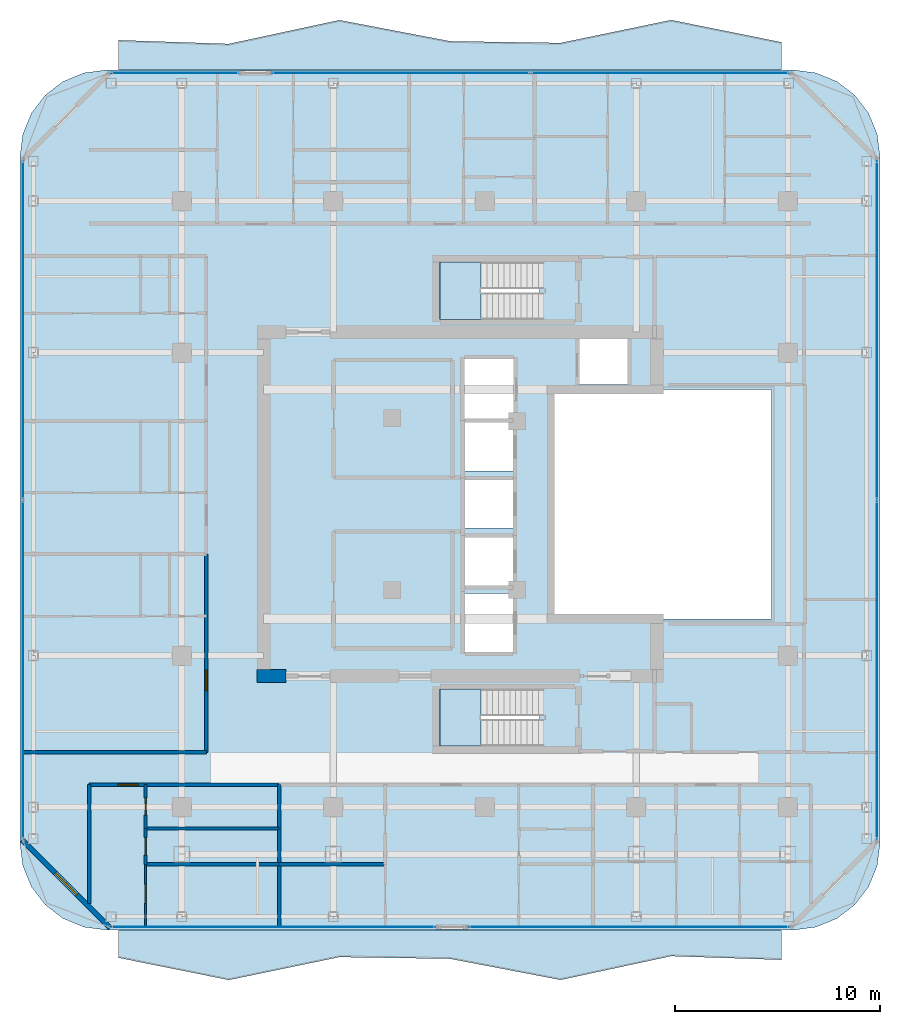
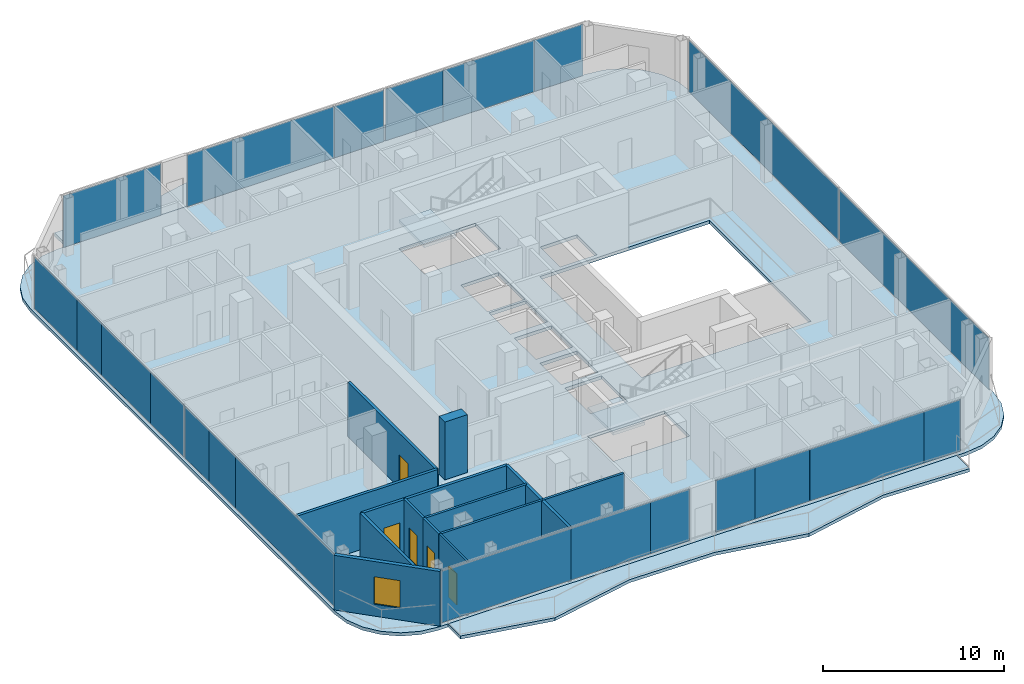
# One storey, part 15 of 23: 22 plates, 13 walls, 5 doors, 5 slabs, 1 window, 6 openings, 8 elements without a shape of their own.
"""IFC4 building model written with IfcOpenShell, lengths in metres."""

from ifc_helpers import new_model, si_unit, direction, frame, frame_2d, origin, origin_2d, place, context, subcontext, project, spatial, polyline, rectangle, outline, extrude, material, layer, layer_set, type_object, element, fill, aggregate, save


model = new_model("IFC4")

# Units and contexts
model_context = context("Model", 3, precision=1e-05, world=origin(), true_north=direction((0.0, 1.0)))
body_context = subcontext(model_context, "Body", "Model", "MODEL_VIEW")
ifc_project = project(units=[si_unit("LENGTHUNIT", "METRE"), si_unit("AREAUNIT", "SQUARE_METRE"), si_unit("VOLUMEUNIT", "CUBIC_METRE"), si_unit("PLANEANGLEUNIT", "RADIAN"), si_unit("MASSUNIT", "GRAM", prefix="KILO")], contexts=[model_context])

# Site, building, storey
site_placement = place(None, origin())
site = spatial("IfcSite", under=ifc_project, at=site_placement, CompositionType="ELEMENT")
building_placement = place(site_placement, origin())
building = spatial("IfcBuilding", under=site, at=building_placement, Name="Khorvyn Point Tower", CompositionType="ELEMENT")
storey_placement = place(building_placement, frame((0.0, 0.0, 297.60009765625)))
storey = spatial("IfcBuildingStorey", under=building, at=storey_placement, Name="L73", CompositionType="ELEMENT", Elevation=297.60009765625)

# Slabs
ifc_material_1 = material(Name="Concrete C35/45", Category="concrete")
ifc_layer_1 = layer(ifc_material_1, 0.219970703125)
ifc_layer_set_1 = layer_set([ifc_layer_1], Name="Concrete C35/45 Structural Floor Slab 220")
slab_type_1 = type_object("IfcSlabType", Name="Concrete C35/45 Structural Floor Slab 220", PredefinedType="FLOOR", material=ifc_layer_set_1)
slab_1_placement = place(storey_placement, frame((0.0, 0.0, -0.22021484375)))
element("IfcSlab", 1, at=slab_1_placement, inside=storey, type_object=slab_type_1, Name="L73 Main Structural Floor Slab", PredefinedType="FLOOR", context=body_context, shape_type="SweptSolid", body=[
    extrude(outline(polyline([(-18.5, -20.800048828125), (-19.5869140625, -20.656982421875), (-20.60009765625, -20.2373046875), (-21.4697265625, -19.56982421875), (-22.13720703125, -18.699951171875), (-22.556884765625, -17.68701171875), (-22.699951171875, -16.60009765625), (-22.699951171875, 17.0), (-22.556884765625, 18.0869140625), (-22.13720703125, 19.10009765625), (-21.4697265625, 19.9697265625), (-20.60009765625, 20.63720703125), (-19.5869140625, 21.056884765625), (-18.5, 21.199951171875), (15.10009765625, 21.199951171875), (16.18701171875, 21.056884765625), (17.199951171875, 20.63720703125), (18.06982421875, 19.9697265625), (18.7373046875, 19.10009765625), (19.156982421875, 18.0869140625), (19.300048828125, 17.0), (19.300048828125, -16.60009765625), (19.156982421875, -17.68701171875), (18.7373046875, -18.699951171875), (18.06982421875, -19.56982421875), (17.199951171875, -20.2373046875), (16.18701171875, -20.656982421875), (15.10009765625, -20.800048828125), (-18.5, -20.800048828125)]), holes=[polyline([(2.679931640625, -11.820068359375), (2.679931640625, -9.02001953125), (-2.199951171875, -9.02001953125), (-2.199951171875, -11.820068359375), (2.679931640625, -11.820068359375)]), polyline([(1.375, -7.22509765625), (1.375, -4.375), (-0.97509765625, -4.375), (-0.97509765625, -7.22509765625), (1.375, -7.22509765625)]), polyline([(1.375, -3.97509765625), (1.375, -1.625), (-0.97509765625, -1.625), (-0.97509765625, -3.97509765625), (1.375, -3.97509765625)]), polyline([(1.375, -1.175048828125), (1.375, 1.175048828125), (-0.97509765625, 1.175048828125), (-0.97509765625, -1.175048828125), (1.375, -1.175048828125)]), polyline([(14.0, -5.60009765625), (14.0, 5.60009765625), (3.199951171875, 5.60009765625), (3.199951171875, -5.60009765625), (14.0, -5.60009765625)]), polyline([(1.375, 1.625), (1.375, 3.97509765625), (-0.97509765625, 3.97509765625), (-0.97509765625, 1.625), (1.375, 1.625)]), polyline([(1.39990234375, 4.125), (1.39990234375, 7.074951171875), (-1.0, 7.074951171875), (-1.0, 4.125), (1.39990234375, 4.125)]), polyline([(4.625, 5.85009765625), (6.97509765625, 5.85009765625), (6.97509765625, 8.054931640625), (4.625, 8.054931640625), (4.625, 5.85009765625)]), polyline([(-2.199951171875, 9.02001953125), (2.679931640625, 9.02001953125), (2.679931640625, 11.820068359375), (-2.199951171875, 11.820068359375), (-2.199951171875, 9.02001953125)])]), origin(), (0.0, 0.0, 1.0), 0.22021484375),
])
ifc_material_2 = material(Name="Concrete C40/50", Category="concrete")
ifc_layer_2 = layer(ifc_material_2, 0.2099609375)
ifc_layer_set_2 = layer_set([ifc_layer_2], Name="Concrete C40/50 Rippling Balcony Slab 210")
slab_type_2 = type_object("IfcSlabType", Name="Concrete C40/50 Rippling Balcony Slab 210", PredefinedType="USERDEFINED", material=ifc_layer_set_2)
slab_2_placement = place(storey_placement, frame((0.0, 0.0, -0.210205078125)))
element("IfcSlab", 2, at=slab_2_placement, inside=storey, type_object=slab_type_2, Name="L73 North Sinusoidal Rippling Balcony", ObjectType="BALCONY", PredefinedType="USERDEFINED", context=body_context, shape_type="SweptSolid", body=[
    extrude(outline(polyline([(14.5, 21.199951171875), (14.5, 22.554931640625), (9.10009765625, 23.642333984375), (3.699951171875, 22.522705078125), (-1.699951171875, 22.60546875), (-7.10009765625, 23.638427734375), (-12.5, 22.47607421875), (-17.89990234375, 22.65771484375), (-17.89990234375, 21.199951171875), (14.5, 21.199951171875)])), origin(), (0.0, 0.0, 1.0), 0.210205078125),
])
slab_3_placement = place(storey_placement, frame((0.0, 0.0, -0.210205078125)))
element("IfcSlab", 3, at=slab_3_placement, inside=storey, type_object=slab_type_2, Name="L73 South Sinusoidal Rippling Balcony", ObjectType="BALCONY", PredefinedType="USERDEFINED", context=body_context, shape_type="SweptSolid", body=[
    extrude(outline(polyline([(-17.89990234375, -20.800048828125), (-17.89990234375, -22.155029296875), (-12.5, -23.2421875), (-7.10009765625, -22.12255859375), (-1.699951171875, -22.205322265625), (3.699951171875, -23.238525390625), (9.10009765625, -22.076171875), (14.5, -22.2578125), (14.5, -20.800048828125), (-17.89990234375, -20.800048828125)])), origin(), (0.0, 0.0, 1.0), 0.210205078125),
])

# Stair, slab
stair_type = type_object("IfcStairType", Name="Tower Concrete C40/50 Dogleg Exit Stair", PredefinedType="HALF_TURN_STAIR", material=ifc_material_2)
stair_1_placement = place(storey_placement, origin())
stair_1 = element("IfcStair", 4, at=stair_1_placement, inside=storey, type_object=stair_type, Name="L73 Tower Smokeproof Exit Stair South", PredefinedType="HALF_TURN_STAIR")
ifc_layer_3 = layer(ifc_material_2, 0.199951171875)
ifc_layer_set_3 = layer_set([ifc_layer_3], Name="Concrete C40/50 Stair Landing Slab 200")
slab_type_3 = type_object("IfcSlabType", Name="Concrete C40/50 Stair Landing Slab 200", PredefinedType="LANDING", material=ifc_layer_set_3)
slab_4_placement = place(storey_placement, frame((0.0, 0.0, 1.75)))
slab_4 = element("IfcSlab", 5, at=slab_4_placement, type_object=slab_type_3, Name="ST-01 landing 1", PredefinedType="LANDING", context=body_context, shape_type="SweptSolid", body=[
    extrude(outline(polyline([(-0.179931640625, -9.02001953125), (-2.199951171875, -9.02001953125), (-2.199951171875, -11.820068359375), (-0.179931640625, -11.820068359375), (-0.179931640625, -9.02001953125)])), origin(), (0.0, 0.0, 1.0), 0.199951171875),
])
aggregate(stair_1, [slab_4])

stair_2_placement = place(storey_placement, origin())
stair_2 = element("IfcStair", 6, at=stair_2_placement, inside=storey, type_object=stair_type, Name="L73 Tower Smokeproof Exit Stair North", PredefinedType="HALF_TURN_STAIR")
slab_5_placement = place(storey_placement, frame((0.0, 0.0, 1.75)))
slab_5 = element("IfcSlab", 7, at=slab_5_placement, type_object=slab_type_3, Name="ST-02 landing 1", PredefinedType="LANDING", context=body_context, shape_type="SweptSolid", body=[
    extrude(outline(polyline([(-0.179931640625, 11.820068359375), (-2.199951171875, 11.820068359375), (-2.199951171875, 9.02001953125), (-0.179931640625, 9.02001953125), (-0.179931640625, 11.820068359375)])), origin(), (0.0, 0.0, 1.0), 0.199951171875),
])
aggregate(stair_2, [slab_5])

# Curtain wall, plates
ifc_material_3 = material(Name="Anodised aluminium 6063-T6 and laminated Low-E glass", Category="aluminium")
ifc_layer_4 = layer(ifc_material_3, 0.18994140625)
ifc_layer_set_4 = layer_set([ifc_layer_4], Name="Stick-Built High-Wind Curtain Wall CW-SYS-04")
curtain_wall_type = type_object("IfcCurtainWallType", Name="Stick-Built High-Wind Curtain Wall CW-SYS-04", PredefinedType="NOTDEFINED", material=ifc_layer_set_4)
curtain_wall_1_placement = place(storey_placement, origin())
curtain_wall_1 = element("IfcCurtainWall", 8, at=curtain_wall_1_placement, inside=storey, type_object=curtain_wall_type, Name="Curtain Wall", PredefinedType="NOTDEFINED")
ifc_material_4 = material(Name="Laminated Low-E insulated glass", Category="glass")
ifc_layer_5 = layer(ifc_material_4, 0.028076171875)
ifc_layer_set_5 = layer_set([ifc_layer_5], Name="Tempered Low-E Vision Glazing Panel CW-GL28")
plate_type = type_object("IfcPlateType", Name="Tempered Low-E Vision Glazing Panel CW-GL28", PredefinedType="CURTAIN_PANEL", material=ifc_layer_set_5)
plate_1_placement = place(storey_placement, frame((0.4755859375, -20.64990234375, 0.099853515625), z_axis=(0.0, 0.0, 1.0), x_axis=(-1.0, 0.0, 0.0)))
plate_1 = element("IfcPlate", 9, at=plate_1_placement, type_object=plate_type, Name="Panel", PredefinedType="CURTAIN_PANEL", context=body_context, shape_type="SweptSolid", body=[
    extrude(rectangle(XDim=2.4970703125, YDim=0.028076171875, at=origin_2d()), origin(), (0.0, 0.0, 1.0), 3.47998046875),
])
plate_2_placement = place(storey_placement, frame((3.4755859375, -20.64990234375, 0.099853515625), z_axis=(0.0, 0.0, 1.0), x_axis=(-1.0, 0.0, 0.0)))
plate_2 = element("IfcPlate", 10, at=plate_2_placement, type_object=plate_type, Name="Panel", PredefinedType="CURTAIN_PANEL", context=body_context, shape_type="SweptSolid", body=[
    extrude(rectangle(XDim=3.487060546875, YDim=0.028076171875, at=origin_2d()), origin(), (0.0, 0.0, 1.0), 3.47998046875),
])
plate_3_placement = place(storey_placement, frame((8.864501953125, -20.64990234375, 0.099853515625), z_axis=(0.0, 0.0, 1.0), x_axis=(-1.0, 0.0, 0.0)))
plate_3 = element("IfcPlate", 11, at=plate_3_placement, type_object=plate_type, Name="Panel", PredefinedType="CURTAIN_PANEL", context=body_context, shape_type="SweptSolid", body=[
    extrude(rectangle(XDim=7.27490234375, YDim=0.028076171875, at=origin_2d()), origin(), (0.0, 0.0, 1.0), 3.47998046875),
])
plate_4_placement = place(storey_placement, frame((13.677978515625, -20.64990234375, 0.099853515625), z_axis=(0.0, 0.0, 1.0), x_axis=(-1.0, 0.0, 0.0)))
plate_4 = element("IfcPlate", 12, at=plate_4_placement, type_object=plate_type, Name="Panel", PredefinedType="CURTAIN_PANEL", context=body_context, shape_type="SweptSolid", body=[
    extrude(rectangle(XDim=2.3359375, YDim=0.028076171875, at=origin_2d()), origin(), (0.0, 0.0, 1.0), 3.47998046875),
])
aggregate(curtain_wall_1, [plate_1, plate_2, plate_3, plate_4])

curtain_wall_2_placement = place(storey_placement, origin())
curtain_wall_2 = element("IfcCurtainWall", 13, at=curtain_wall_2_placement, inside=storey, type_object=curtain_wall_type, Name="Curtain Wall", PredefinedType="NOTDEFINED")
plate_5_placement = place(storey_placement, frame((-14.114990234375, -20.64990234375, 0.099853515625), z_axis=(0.0, 0.0, 1.0), x_axis=(-1.0, 0.0, 0.0)))
plate_5 = element("IfcPlate", 14, at=plate_5_placement, type_object=plate_type, Name="Panel", PredefinedType="CURTAIN_PANEL", context=body_context, shape_type="SweptSolid", body=[
    extrude(rectangle(XDim=8.261962890625, YDim=0.028076171875, at=origin_2d()), origin(), (0.0, 0.0, 1.0), 3.47998046875),
])
plate_6_placement = place(storey_placement, frame((-7.450439453125, -20.64990234375, 0.099853515625), z_axis=(0.0, 0.0, 1.0), x_axis=(-1.0, 0.0, 0.0)))
plate_6 = element("IfcPlate", 15, at=plate_6_placement, type_object=plate_type, Name="Panel", PredefinedType="CURTAIN_PANEL", context=body_context, shape_type="SweptSolid", body=[
    extrude(rectangle(XDim=5.051025390625, YDim=0.028076171875, at=origin_2d()), origin(), (0.0, 0.0, 1.0), 3.47998046875),
])
plate_7_placement = place(storey_placement, frame((-3.6689453125, -20.64990234375, 0.099853515625), z_axis=(0.0, 0.0, 1.0), x_axis=(-1.0, 0.0, 0.0)))
plate_7 = element("IfcPlate", 16, at=plate_7_placement, type_object=plate_type, Name="Panel", PredefinedType="CURTAIN_PANEL", context=body_context, shape_type="SweptSolid", body=[
    extrude(rectangle(XDim=2.49609375, YDim=0.028076171875, at=origin_2d()), origin(), (0.0, 0.0, 1.0), 3.47998046875),
])
aggregate(curtain_wall_2, [plate_5, plate_6, plate_7])

# Curtain wall, plate
curtain_wall_3_placement = place(storey_placement, origin())
curtain_wall_3 = element("IfcCurtainWall", 17, at=curtain_wall_3_placement, inside=storey, type_object=curtain_wall_type, Name="Curtain Wall", PredefinedType="NOTDEFINED")
plate_8_placement = place(storey_placement, frame((-15.139892578125, 21.050048828125, 0.099853515625), z_axis=(0.0, 0.0, 1.0), x_axis=(1.0, 0.0, 0.0)))
plate_8 = element("IfcPlate", 18, at=plate_8_placement, type_object=plate_type, Name="Panel", PredefinedType="CURTAIN_PANEL", context=body_context, shape_type="SweptSolid", body=[
    extrude(rectangle(XDim=6.219970703125, YDim=0.028076171875, at=origin_2d()), origin(), (0.0, 0.0, 1.0), 3.47998046875),
])
aggregate(curtain_wall_3, [plate_8])

# Curtain wall, plates
curtain_wall_4_placement = place(storey_placement, origin())
curtain_wall_4 = element("IfcCurtainWall", 19, at=curtain_wall_4_placement, inside=storey, type_object=curtain_wall_type, Name="Curtain Wall", PredefinedType="NOTDEFINED")
plate_9_placement = place(storey_placement, frame((-5.680419921875, 21.050048828125, 0.099853515625), z_axis=(0.0, 0.0, 1.0), x_axis=(1.0, 0.0, 0.0)))
plate_9 = element("IfcPlate", 20, at=plate_9_placement, type_object=plate_type, Name="Panel", PredefinedType="CURTAIN_PANEL", context=body_context, shape_type="SweptSolid", body=[
    extrude(rectangle(XDim=9.410888671875, YDim=0.028076171875, at=origin_2d()), origin(), (0.0, 0.0, 1.0), 3.47998046875),
])
plate_10_placement = place(storey_placement, frame((0.6044921875, 21.050048828125, 0.099853515625), z_axis=(0.0, 0.0, 1.0), x_axis=(1.0, 0.0, 0.0)))
plate_10 = element("IfcPlate", 21, at=plate_10_placement, type_object=plate_type, Name="Panel", PredefinedType="CURTAIN_PANEL", context=body_context, shape_type="SweptSolid", body=[
    extrude(rectangle(XDim=3.14306640625, YDim=0.028076171875, at=origin_2d()), origin(), (0.0, 0.0, 1.0), 3.47998046875),
])
plate_11_placement = place(storey_placement, frame((4.109619140625, 21.050048828125, 0.099853515625), z_axis=(0.0, 0.0, 1.0), x_axis=(1.0, 0.0, 0.0)))
plate_11 = element("IfcPlate", 22, at=plate_11_placement, type_object=plate_type, Name="Panel", PredefinedType="CURTAIN_PANEL", context=body_context, shape_type="SweptSolid", body=[
    extrude(rectangle(XDim=3.65087890625, YDim=0.028076171875, at=origin_2d()), origin(), (0.0, 0.0, 1.0), 3.47998046875),
])
plate_12_placement = place(storey_placement, frame((8.8544921875, 21.050048828125, 0.099853515625), z_axis=(0.0, 0.0, 1.0), x_axis=(1.0, 0.0, 0.0)))
plate_12 = element("IfcPlate", 23, at=plate_12_placement, type_object=plate_type, Name="Panel", PredefinedType="CURTAIN_PANEL", context=body_context, shape_type="SweptSolid", body=[
    extrude(rectangle(XDim=5.822998046875, YDim=0.028076171875, at=origin_2d()), origin(), (0.0, 0.0, 1.0), 3.47998046875),
])
plate_13_placement = place(storey_placement, frame((13.31005859375, 21.050048828125, 0.099853515625), z_axis=(0.0, 0.0, 1.0), x_axis=(1.0, 0.0, 0.0)))
plate_13 = element("IfcPlate", 24, at=plate_13_placement, type_object=plate_type, Name="Panel", PredefinedType="CURTAIN_PANEL", context=body_context, shape_type="SweptSolid", body=[
    extrude(rectangle(XDim=3.072021484375, YDim=0.028076171875, at=origin_2d()), origin(), (0.0, 0.0, 1.0), 3.47998046875),
])
aggregate(curtain_wall_4, [plate_9, plate_10, plate_11, plate_12, plate_13])

curtain_wall_5_placement = place(storey_placement, origin())
curtain_wall_5 = element("IfcCurtainWall", 25, at=curtain_wall_5_placement, inside=storey, type_object=curtain_wall_type, Name="Curtain Wall", PredefinedType="NOTDEFINED")
plate_14_placement = place(storey_placement, frame((-22.550048828125, -10.882568359375, 0.099853515625), z_axis=(0.0, 0.0, 1.0), x_axis=(0.0, 1.0, 0.0)))
plate_14 = element("IfcPlate", 26, at=plate_14_placement, type_object=plate_type, Name="Panel", PredefinedType="CURTAIN_PANEL", context=body_context, shape_type="SweptSolid", body=[
    extrude(rectangle(XDim=10.927001953125, YDim=0.028076171875, at=origin_2d()), origin(), (0.0, 0.0, 1.0), 3.47998046875),
])
plate_15_placement = place(storey_placement, frame((-22.550048828125, -3.95751953125, 0.099853515625), z_axis=(0.0, 0.0, 1.0), x_axis=(0.0, 1.0, 0.0)))
plate_15 = element("IfcPlate", 27, at=plate_15_placement, type_object=plate_type, Name="Panel", PredefinedType="CURTAIN_PANEL", context=body_context, shape_type="SweptSolid", body=[
    extrude(rectangle(XDim=2.906982421875, YDim=0.028076171875, at=origin_2d()), origin(), (0.0, 0.0, 1.0), 3.47998046875),
])
plate_16_placement = place(storey_placement, frame((-22.550048828125, -1.175048828125, 0.099853515625), z_axis=(0.0, 0.0, 1.0), x_axis=(0.0, 1.0, 0.0)))
plate_16 = element("IfcPlate", 28, at=plate_16_placement, type_object=plate_type, Name="Panel", PredefinedType="CURTAIN_PANEL", context=body_context, shape_type="SweptSolid", body=[
    extrude(rectangle(XDim=2.64208984375, YDim=0.028076171875, at=origin_2d()), origin(), (0.0, 0.0, 1.0), 3.47998046875),
])
plate_17_placement = place(storey_placement, frame((-22.550048828125, 2.114990234375, 0.099853515625), z_axis=(0.0, 0.0, 1.0), x_axis=(0.0, 1.0, 0.0)))
plate_17 = element("IfcPlate", 29, at=plate_17_placement, type_object=plate_type, Name="Panel", PredefinedType="CURTAIN_PANEL", context=body_context, shape_type="SweptSolid", body=[
    extrude(rectangle(XDim=3.721923828125, YDim=0.028076171875, at=origin_2d()), origin(), (0.0, 0.0, 1.0), 3.47998046875),
])
plate_18_placement = place(storey_placement, frame((-22.550048828125, 6.679931640625, 0.099853515625), z_axis=(0.0, 0.0, 1.0), x_axis=(0.0, 1.0, 0.0)))
plate_18 = element("IfcPlate", 30, at=plate_18_placement, type_object=plate_type, Name="Panel", PredefinedType="CURTAIN_PANEL", context=body_context, shape_type="SweptSolid", body=[
    extrude(rectangle(XDim=5.39208984375, YDim=0.028076171875, at=origin_2d()), origin(), (0.0, 0.0, 1.0), 3.47998046875),
])
plate_19_placement = place(storey_placement, frame((-22.550048828125, 10.719970703125, 0.099853515625), z_axis=(0.0, 0.0, 1.0), x_axis=(0.0, 1.0, 0.0)))
plate_19 = element("IfcPlate", 31, at=plate_19_placement, type_object=plate_type, Name="Panel", PredefinedType="CURTAIN_PANEL", context=body_context, shape_type="SweptSolid", body=[
    extrude(rectangle(XDim=2.672119140625, YDim=0.028076171875, at=origin_2d()), origin(), (0.0, 0.0, 1.0), 3.47998046875),
])
plate_20_placement = place(storey_placement, frame((-22.550048828125, 14.405029296875, 0.099853515625), z_axis=(0.0, 0.0, 1.0), x_axis=(0.0, 1.0, 0.0)))
plate_20 = element("IfcPlate", 32, at=plate_20_placement, type_object=plate_type, Name="Panel", PredefinedType="CURTAIN_PANEL", context=body_context, shape_type="SweptSolid", body=[
    extrude(rectangle(XDim=4.681884765625, YDim=0.028076171875, at=origin_2d()), origin(), (0.0, 0.0, 1.0), 3.47998046875),
])
aggregate(curtain_wall_5, [plate_14, plate_15, plate_16, plate_17, plate_18, plate_19, plate_20])

curtain_wall_6_placement = place(storey_placement, origin())
curtain_wall_6 = element("IfcCurtainWall", 33, at=curtain_wall_6_placement, inside=storey, type_object=curtain_wall_type, Name="Curtain Wall", PredefinedType="NOTDEFINED")
plate_21_placement = place(storey_placement, frame((19.14990234375, 8.5, 0.099853515625), z_axis=(0.0, 0.0, 1.0), x_axis=(0.0, -1.0, 0.0)))
plate_21 = element("IfcPlate", 34, at=plate_21_placement, type_object=plate_type, Name="Panel", PredefinedType="CURTAIN_PANEL", context=body_context, shape_type="SweptSolid", body=[
    extrude(rectangle(XDim=16.5, YDim=0.028076171875, at=origin_2d()), origin(), (0.0, 0.0, 1.0), 3.47998046875),
])
plate_22_placement = place(storey_placement, frame((19.14990234375, -8.10009765625, 0.099853515625), z_axis=(0.0, 0.0, 1.0), x_axis=(0.0, -1.0, 0.0)))
plate_22 = element("IfcPlate", 35, at=plate_22_placement, type_object=plate_type, Name="Panel", PredefinedType="CURTAIN_PANEL", context=body_context, shape_type="SweptSolid", body=[
    extrude(rectangle(XDim=16.5, YDim=0.028076171875, at=origin_2d()), origin(), (0.0, 0.0, 1.0), 3.47998046875),
])
aggregate(curtain_wall_6, [plate_21, plate_22])

# Wall, opening, door
ifc_material_5 = material(Name="Double acoustic gypsum on twin steel stud", Category="steel")
ifc_layer_6 = layer(ifc_material_5, 0.179931640625)
ifc_layer_set_6 = layer_set([ifc_layer_6], Name="Acoustic Double-Stud Apartment Demising Wall 180")
wall_type_1 = type_object("IfcWallType", Name="Acoustic Double-Stud Apartment Demising Wall 180", PredefinedType="PARTITIONING", material=ifc_layer_set_6)
wall_1_placement = place(storey_placement, frame((-19.320068359375, -13.699951171875, 0.0), z_axis=(0.0, 0.0, 1.0), x_axis=(1.0, 0.0, 0.0)))
wall_1 = element("IfcWall", 36, at=wall_1_placement, inside=storey, type_object=wall_type_1, Name="Wall", PredefinedType="PARTITIONING", context=body_context, shape_type="SweptSolid", body=[
    extrude(rectangle(XDim=9.280029296875, YDim=0.179931640625, at=frame_2d((4.64013671875, 0.0))), origin(), (0.0, 0.0, 1.0), 3.679931640625),
])
opening_1_placement = place(wall_1_placement, frame((1.398193359375, 0.0, 0.0)))
opening_1 = element("IfcOpeningElement", 37, at=opening_1_placement, cuts=wall_1, Name="Opening ID-AP60", PredefinedType="OPENING", context=body_context, shape_type="SweptSolid", body=[
    extrude(rectangle(XDim=1.0, YDim=2.199951171875, at=frame_2d((0.5, 1.10009765625))), frame((0.0, 0.099853515625, 0.0), z_axis=(0.0, -1.0, 0.0), x_axis=(1.0, 0.0, 0.0)), (0.0, 0.0, 1.0), 0.199951171875),
])
ifc_material_6 = material(Name="Engineered hardwood fire-rated leaf", Category="wood")
door_type_1 = type_object("IfcDoorType", Name="Acoustic Solid-Core Timber Apartment Entrance Door 1000x2200", OperationType="NOTDEFINED", PredefinedType="DOOR", material=ifc_material_6)
door_1_placement = place(opening_1_placement, origin())
door_1 = element("IfcDoor", 38, at=door_1_placement, inside=storey, type_object=door_type_1, Name="Door", OperationType="SINGLE_SWING_RIGHT", OverallHeight=2.199951171875, OverallWidth=1.0, PredefinedType="DOOR", context=body_context, shape_type="SweptSolid", body=[
    extrude(rectangle(XDim=1.0, YDim=2.199951171875, at=frame_2d((0.5, 1.10009765625))), frame((0.0, 0.02490234375, 0.0), z_axis=(0.0, -1.0, 0.0), x_axis=(1.0, 0.0, 0.0)), (0.0, 0.0, 1.0), 0.050048828125),
])
fill(opening_1, door_1)

wall_2_placement = place(storey_placement, frame((-13.60009765625, -12.1201171875, 0.0), z_axis=(0.0, 0.0, 1.0), x_axis=(0.0, 1.0, 0.0)))
wall_2 = element("IfcWall", 39, at=wall_2_placement, inside=storey, type_object=wall_type_1, Name="Wall", PredefinedType="PARTITIONING", context=body_context, shape_type="SweptSolid", body=[
    extrude(rectangle(XDim=9.68017578125, YDim=0.179931640625, at=frame_2d((4.840087890625, 0.0))), origin(), (0.0, 0.0, 1.0), 3.679931640625),
])
opening_2_placement = place(wall_2_placement, frame((3.006103515625, 0.0, 0.0)))
opening_2 = element("IfcOpeningElement", 40, at=opening_2_placement, cuts=wall_2, Name="Opening ID-AP60", PredefinedType="OPENING", context=body_context, shape_type="SweptSolid", body=[
    extrude(rectangle(XDim=1.0, YDim=2.199951171875, at=frame_2d((0.5, 1.10009765625))), frame((0.0, 0.099853515625, 0.0), z_axis=(0.0, -1.0, 0.0), x_axis=(1.0, 0.0, 0.0)), (0.0, 0.0, 1.0), 0.199951171875),
])
door_2_placement = place(opening_2_placement, origin())
door_2 = element("IfcDoor", 41, at=door_2_placement, inside=storey, type_object=door_type_1, Name="Door", OperationType="SINGLE_SWING_LEFT", OverallHeight=2.199951171875, OverallWidth=1.0, PredefinedType="DOOR", context=body_context, shape_type="SweptSolid", body=[
    extrude(rectangle(XDim=1.0, YDim=2.199951171875, at=frame_2d((0.5, 1.10009765625))), frame((0.0, 0.02490234375, 0.0), z_axis=(0.0, -1.0, 0.0), x_axis=(1.0, 0.0, 0.0)), (0.0, 0.0, 1.0), 0.050048828125),
])
fill(opening_2, door_2)

# Walls
wall_3_placement = place(storey_placement, frame((-19.320068359375, -19.510009765625, 0.0), z_axis=(0.0, 0.0, 1.0), x_axis=(0.0, 1.0, 0.0)))
element("IfcWall", 42, at=wall_3_placement, inside=storey, type_object=wall_type_1, Name="Wall", PredefinedType="PARTITIONING", context=body_context, shape_type="SweptSolid", body=[
    extrude(rectangle(XDim=5.81005859375, YDim=0.179931640625, at=frame_2d((2.905029296875, 0.0))), origin(), (0.0, 0.0, 1.0), 3.679931640625),
])
wall_4_placement = place(storey_placement, frame((-10.0400390625, -20.6298828125, 0.0), z_axis=(0.0, 0.0, 1.0), x_axis=(0.0, 1.0, 0.0)))
element("IfcWall", 43, at=wall_4_placement, inside=storey, type_object=wall_type_1, Name="Wall", PredefinedType="PARTITIONING", context=body_context, shape_type="SweptSolid", body=[
    extrude(rectangle(XDim=6.929931640625, YDim=0.179931640625, at=frame_2d((3.46484375, 0.0))), origin(), (0.0, 0.0, 1.0), 3.679931640625),
])
wall_5_placement = place(storey_placement, frame((-22.530029296875, -12.1201171875, 0.0), z_axis=(0.0, 0.0, 1.0), x_axis=(1.0, 0.0, 0.0)))
element("IfcWall", 44, at=wall_5_placement, inside=storey, type_object=wall_type_1, Name="Wall", PredefinedType="PARTITIONING", context=body_context, shape_type="SweptSolid", body=[
    extrude(rectangle(XDim=8.929931640625, YDim=0.179931640625, at=frame_2d((4.46484375, 0.0))), origin(), (0.0, 0.0, 1.0), 3.679931640625),
])

# Wall, opening, window
ifc_material_7 = material(Name="Pale anodised aluminium rainscreen on steel stud", Category="steel")
ifc_layer_7 = layer(ifc_material_7, 0.239990234375)
ifc_layer_set_7 = layer_set([ifc_layer_7], Name="Anodised Aluminium Insulated Corner Spandrel Wall 240")
wall_type_2 = type_object("IfcWallType", Name="Anodised Aluminium Insulated Corner Spandrel Wall 240", PredefinedType="SOLIDWALL", material=ifc_layer_set_7)
wall_6_placement = place(storey_placement, frame((-18.3076171875, -20.6923828125, 0.0), z_axis=(0.0, 0.0, 1.0), x_axis=(-0.707106781187, 0.707106781187, 0.0)))
wall_6 = element("IfcWall", 45, at=wall_6_placement, inside=storey, type_object=wall_type_2, Name="L73 Rounded Corner Wall SW", PredefinedType="SOLIDWALL", context=body_context, shape_type="SweptSolid", body=[
    extrude(rectangle(XDim=6.059326171875, YDim=0.239990234375, at=frame_2d((3.02978515625, 0.0))), origin(), (0.0, 0.0, 1.0), 3.679931640625),
])
opening_3_placement = place(wall_6_placement, frame((2.27978515625, 0.0, 0.800048828125)))
opening_3 = element("IfcOpeningElement", 46, at=opening_3_placement, cuts=wall_6, Name="Opening WN-1518", PredefinedType="OPENING", context=body_context, shape_type="SweptSolid", body=[
    extrude(rectangle(XDim=1.5, YDim=1.85009765625, at=frame_2d((0.75, 0.925048828125))), frame((0.0, 0.1298828125, 0.0), z_axis=(0.0, -1.0, 0.0), x_axis=(1.0, 0.0, 0.0)), (0.0, 0.0, 1.0), 0.260009765625),
])
window_type = type_object("IfcWindowType", Name="Anodised Aluminium Rounded-Corner Panoramic Window 1500x1850", PartitioningType="SINGLE_PANEL", PredefinedType="WINDOW", material=ifc_material_3)
window_placement = place(opening_3_placement, origin())
window = element("IfcWindow", 47, at=window_placement, inside=storey, type_object=window_type, Name="L73 Corner Panoramic Window SW", OverallHeight=1.85009765625, OverallWidth=1.5, PartitioningType="SINGLE_PANEL", PredefinedType="WINDOW", context=body_context, shape_type="SweptSolid", body=[
    extrude(rectangle(XDim=1.5, YDim=1.85009765625, at=frame_2d((0.75, 0.925048828125))), frame((0.0, 0.030029296875, 0.0), z_axis=(0.0, -1.0, 0.0), x_axis=(1.0, 0.0, 0.0)), (0.0, 0.0, 1.0), 0.06005859375),
])
fill(opening_3, window)

# Wall
ifc_layer_8 = layer(ifc_material_2, 0.64990234375)
ifc_layer_set_8 = layer_set([ifc_layer_8], Name="Concrete C40/50 Core Shear Wall 650")
wall_type_3 = type_object("IfcWallType", Name="Concrete C40/50 Core Shear Wall 650", PredefinedType="SHEAR", material=ifc_layer_set_8)
wall_7_placement = place(storey_placement, frame((-11.125, -8.39990234375, 0.0), z_axis=(0.0, 0.0, 1.0), x_axis=(1.0, 0.0, 0.0)))
element("IfcWall", 48, at=wall_7_placement, inside=storey, type_object=wall_type_3, Name="Wall", PredefinedType="SHEAR", context=body_context, shape_type="SweptSolid", body=[
    extrude(rectangle(XDim=1.425048828125, YDim=0.64990234375, at=frame_2d((0.71240234375, 0.0))), origin(), (0.0, 0.0, 1.0), 3.89990234375),
])

# Wall, opening, door
ifc_material_8 = material(Name="Gypsum plasterboard on steel stud", Category="steel")
ifc_layer_9 = layer(ifc_material_8, 0.1201171875)
ifc_layer_set_9 = layer_set([ifc_layer_9], Name="Gypsum Acoustic Stud Room Partition Wall 120")
wall_type_4 = type_object("IfcWallType", Name="Gypsum Acoustic Stud Room Partition Wall 120", PredefinedType="PARTITIONING", material=ifc_layer_set_9)
wall_8_placement = place(storey_placement, frame((-16.570068359375, -20.6298828125, 0.0), z_axis=(0.0, 0.0, 1.0), x_axis=(0.0, 1.0, 0.0)))
wall_8 = element("IfcWall", 49, at=wall_8_placement, inside=storey, type_object=wall_type_4, Name="Wall", PredefinedType="PARTITIONING", context=body_context, shape_type="SweptSolid", body=[
    extrude(rectangle(XDim=3.039794921875, YDim=0.1201171875, at=frame_2d((1.52001953125, 0.0))), origin(), (0.0, 0.0, 1.0), 3.679931640625),
])
opening_4_placement = place(wall_8_placement, frame((1.152587890625, 0.0, 0.0)))
opening_4 = element("IfcOpeningElement", 50, at=opening_4_placement, cuts=wall_8, Name="Opening ID-RM90", PredefinedType="OPENING", context=body_context, shape_type="SweptSolid", body=[
    extrude(rectangle(XDim=0.89990234375, YDim=2.10009765625, at=frame_2d((0.449951171875, 1.050048828125))), frame((0.0, 0.070068359375, 0.0), z_axis=(0.0, -1.0, 0.0), x_axis=(1.0, 0.0, 0.0)), (0.0, 0.0, 1.0), 0.14013671875),
])
ifc_material_9 = material(Name="Engineered oak veneer timber", Category="wood")
door_type_2 = type_object("IfcDoorType", Name="Flush Engineered Timber Room Door 900x2100", OperationType="NOTDEFINED", PredefinedType="DOOR", material=ifc_material_9)
door_3_placement = place(opening_4_placement, origin())
door_3 = element("IfcDoor", 51, at=door_3_placement, inside=storey, type_object=door_type_2, Name="Door", OperationType="SINGLE_SWING_LEFT", OverallHeight=2.10009765625, OverallWidth=0.89990234375, PredefinedType="DOOR", context=body_context, shape_type="SweptSolid", body=[
    extrude(rectangle(XDim=0.89990234375, YDim=2.10009765625, at=frame_2d((0.449951171875, 1.050048828125))), frame((0.0, 0.02490234375, 0.0), z_axis=(0.0, -1.0, 0.0), x_axis=(1.0, 0.0, 0.0)), (0.0, 0.0, 1.0), 0.050048828125),
])
fill(opening_4, door_3)

ifc_material_10 = material(Name="Moisture-resistant gypsum and cement board", Category="gypsum")
ifc_layer_10 = layer(ifc_material_10, 0.14990234375)
ifc_layer_set_10 = layer_set([ifc_layer_10], Name="Moisture-Resistant Wet-Room Partition Wall 150")
wall_type_5 = type_object("IfcWallType", Name="Moisture-Resistant Wet-Room Partition Wall 150", PredefinedType="PARTITIONING", material=ifc_layer_set_10)
wall_9_placement = place(storey_placement, frame((-16.570068359375, -15.839111328125, 0.0), z_axis=(0.0, 0.0, 1.0), x_axis=(0.0, 1.0, 0.0)))
wall_9 = element("IfcWall", 52, at=wall_9_placement, inside=storey, type_object=wall_type_5, Name="Wall", PredefinedType="PARTITIONING", context=body_context, shape_type="SweptSolid", body=[
    extrude(rectangle(XDim=2.13916015625, YDim=0.14990234375, at=frame_2d((1.069580078125, 0.0))), origin(), (0.0, 0.0, 1.0), 3.679931640625),
])
opening_5_placement = place(wall_9_placement, frame((0.64453125, 0.0, 0.0)))
opening_5 = element("IfcOpeningElement", 53, at=opening_5_placement, cuts=wall_9, Name="Opening ID-WC85", PredefinedType="OPENING", context=body_context, shape_type="SweptSolid", body=[
    extrude(rectangle(XDim=0.85009765625, YDim=2.10009765625, at=frame_2d((0.425048828125, 1.050048828125))), frame((0.0, 0.0849609375, 0.0), z_axis=(0.0, -1.0, 0.0), x_axis=(1.0, 0.0, 0.0)), (0.0, 0.0, 1.0), 0.169921875),
])
ifc_material_11 = material(Name="High-pressure laminate on moisture-resistant core", Category="wood")
door_type_3 = type_object("IfcDoorType", Name="Moisture-Resistant Accessible Washroom Door 850x2100", OperationType="NOTDEFINED", PredefinedType="DOOR", material=ifc_material_11)
door_4_placement = place(opening_5_placement, origin())
door_4 = element("IfcDoor", 54, at=door_4_placement, inside=storey, type_object=door_type_3, Name="Door", OperationType="SINGLE_SWING_LEFT", OverallHeight=2.10009765625, OverallWidth=0.85009765625, PredefinedType="DOOR", context=body_context, shape_type="SweptSolid", body=[
    extrude(rectangle(XDim=0.85009765625, YDim=2.10009765625, at=frame_2d((0.425048828125, 1.050048828125))), frame((0.0, 0.02490234375, 0.0), z_axis=(0.0, -1.0, 0.0), x_axis=(1.0, 0.0, 0.0)), (0.0, 0.0, 1.0), 0.050048828125),
])
fill(opening_5, door_4)

wall_10_placement = place(storey_placement, frame((-16.570068359375, -17.590087890625, 0.0), z_axis=(0.0, 0.0, 1.0), x_axis=(0.0, 1.0, 0.0)))
wall_10 = element("IfcWall", 55, at=wall_10_placement, inside=storey, type_object=wall_type_5, Name="Wall", PredefinedType="PARTITIONING", context=body_context, shape_type="SweptSolid", body=[
    extrude(rectangle(XDim=1.7509765625, YDim=0.14990234375, at=frame_2d((0.87548828125, 0.0))), origin(), (0.0, 0.0, 1.0), 3.679931640625),
])
opening_6_placement = place(wall_10_placement, frame((0.450439453125, 0.0, 0.0)))
opening_6 = element("IfcOpeningElement", 56, at=opening_6_placement, cuts=wall_10, Name="Opening ID-WC85", PredefinedType="OPENING", context=body_context, shape_type="SweptSolid", body=[
    extrude(rectangle(XDim=0.85009765625, YDim=2.10009765625, at=frame_2d((0.425048828125, 1.050048828125))), frame((0.0, 0.0849609375, 0.0), z_axis=(0.0, -1.0, 0.0), x_axis=(1.0, 0.0, 0.0)), (0.0, 0.0, 1.0), 0.169921875),
])
door_5_placement = place(opening_6_placement, origin())
door_5 = element("IfcDoor", 57, at=door_5_placement, inside=storey, type_object=door_type_3, Name="Door", OperationType="SINGLE_SWING_RIGHT", OverallHeight=2.10009765625, OverallWidth=0.85009765625, PredefinedType="DOOR", context=body_context, shape_type="SweptSolid", body=[
    extrude(rectangle(XDim=0.85009765625, YDim=2.10009765625, at=frame_2d((0.425048828125, 1.050048828125))), frame((0.0, 0.02490234375, 0.0), z_axis=(0.0, -1.0, 0.0), x_axis=(1.0, 0.0, 0.0)), (0.0, 0.0, 1.0), 0.050048828125),
])
fill(opening_6, door_5)

# Walls
for number, where, z_axis, x_axis, name in (
    (58, (-16.570068359375, -15.839111328125, 0.0), (0.0, 0.0, 1.0), (1.0, 0.0, 0.0), "Wall"),
    (59, (-16.570068359375, -17.590087890625, 0.0), (0.0, 0.0, 1.0), (1.0, 0.0, 0.0), "Wall"),
):
    element("IfcWall", number, at=place(storey_placement, frame(where, z_axis=z_axis, x_axis=x_axis)), inside=storey, type_object=wall_type_5, Name=name, PredefinedType="PARTITIONING", context=body_context, shape_type="SweptSolid", body=[
        extrude(rectangle(XDim=6.530029296875, YDim=0.14990234375, at=frame_2d((3.26513671875, 0.0))), origin(), (0.0, 0.0, 1.0), 3.679931640625),
    ])
wall_11_placement = place(storey_placement, frame((-10.0400390625, -17.590087890625, 0.0), z_axis=(0.0, 0.0, 1.0), x_axis=(1.0, 0.0, 0.0)))
element("IfcWall", 60, at=wall_11_placement, inside=storey, type_object=wall_type_5, Name="Wall", PredefinedType="PARTITIONING", context=body_context, shape_type="SweptSolid", body=[
    extrude(rectangle(XDim=5.178955078125, YDim=0.14990234375, at=frame_2d((2.58935546875, 0.0))), origin(), (0.0, 0.0, 1.0), 3.679931640625),
])

save(model, "model.ifc")
